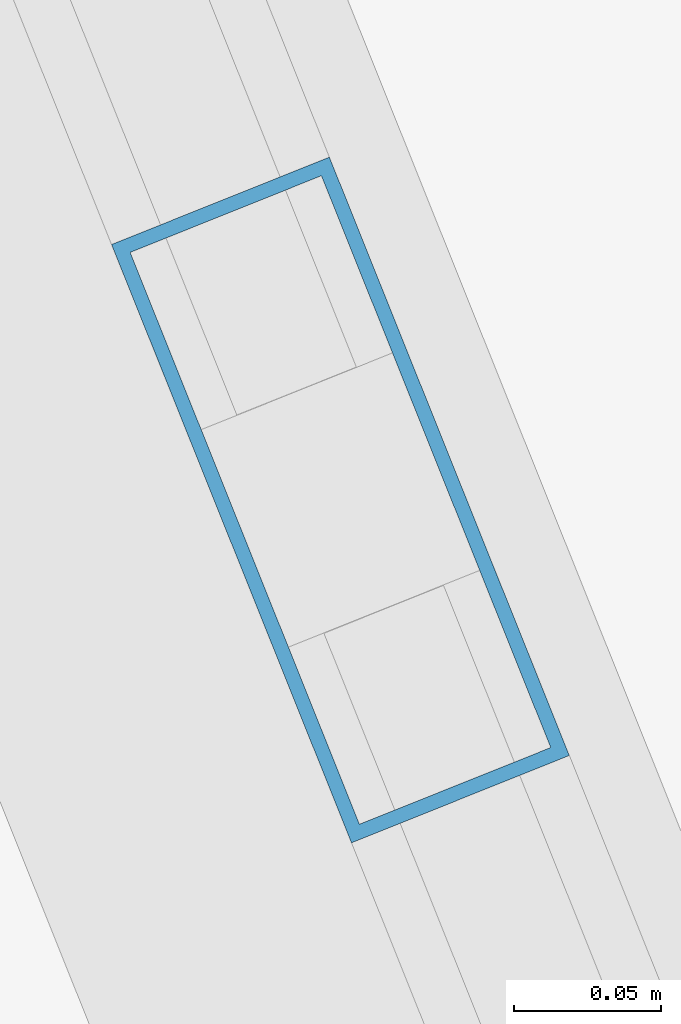
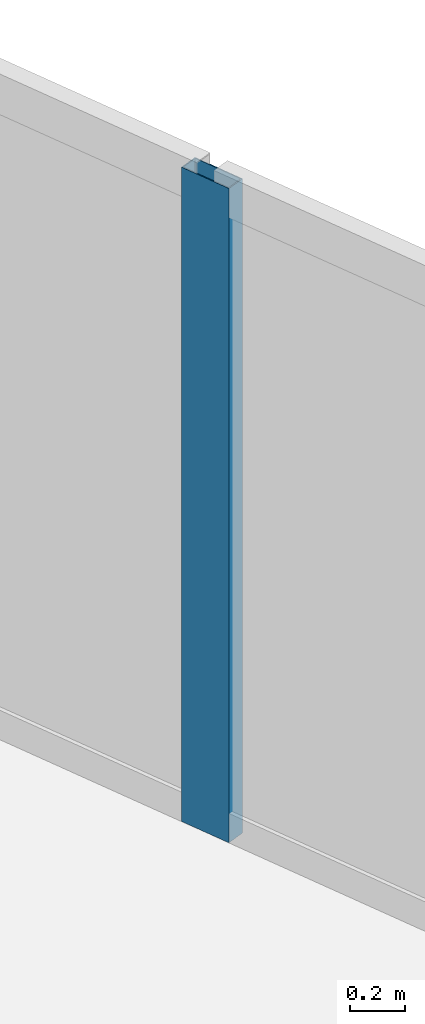
# One storey, part 13 of 33: 1 member, 1 element without a shape of its own.
"""IFC4 building model written with IfcOpenShell, lengths in metres."""

from ifc_helpers import new_model, si_unit, direction, frame, origin, origin_2d, place, context, subcontext, project, spatial, hollow_rectangle, extrude, material, material_profile, profile_set, type_object, element, aggregate, save


model = new_model("IFC4")

# Units and contexts
model_context = context("Model", 3, precision=1e-05, world=origin(), true_north=direction((0.0, 1.0)))
body_context = subcontext(model_context, "Body", "Model", "MODEL_VIEW")
ifc_project = project(units=[si_unit("LENGTHUNIT", "METRE"), si_unit("AREAUNIT", "SQUARE_METRE"), si_unit("VOLUMEUNIT", "CUBIC_METRE"), si_unit("PLANEANGLEUNIT", "RADIAN"), si_unit("MASSUNIT", "GRAM", prefix="KILO")], contexts=[model_context])

# Site, building, storey
site_placement = place(None, origin())
site = spatial("IfcSite", under=ifc_project, at=site_placement, CompositionType="ELEMENT")
building_placement = place(site_placement, origin())
building = spatial("IfcBuilding", under=site, at=building_placement, Name="Haldenkirk Collegiate Tower", CompositionType="ELEMENT")
storey_placement = place(building_placement, frame((0.0, 0.0, 101.699951171875)))
storey = spatial("IfcBuildingStorey", under=building, at=storey_placement, Name="L24", CompositionType="ELEMENT", Elevation=101.699951171875)

# Curtain wall, member
ifc_material = material(Name="Anodised architectural bronze aluminium", Category="aluminium")
curtain_wall_type = type_object("IfcCurtainWallType", Name="CW-SYS1-CONVEX-LOW", PredefinedType="USERDEFINED", material=ifc_material)
curtain_wall_placement = place(storey_placement, origin())
curtain_wall = element("IfcCurtainWall", 1, at=curtain_wall_placement, inside=storey, type_object=curtain_wall_type, Name="L24 Lower tower convex bronze-framed unitised curtain wall", ObjectType="UNITISED CURTAIN WALL", PredefinedType="USERDEFINED")
ifc_material_profile = material_profile(ifc_material, hollow_rectangle(XDim=0.080078125, YDim=0.219970703125, WallThickness=0.0048828125, at=origin_2d()), Name="CW-MUL-1A")
ifc_profile_set = profile_set([ifc_material_profile], Name="Anodised architectural bronze aluminium")
member_type = type_object("IfcMemberType", Name="CW-MUL-1A", PredefinedType="MULLION", material=ifc_profile_set)
member_placement = place(storey_placement, frame((63.6494140625, 26.690185546875, 0.0), z_axis=(0.0, 0.0, 1.0), x_axis=(0.928162513726, 0.372175157841, 0.0)))
member = element("IfcMember", 2, at=member_placement, type_object=member_type, Name="CW-1A mullion 4", PredefinedType="MULLION", context=body_context, shape_type="SweptSolid", body=[
    extrude(hollow_rectangle(XDim=0.080078125, YDim=0.219970703125, WallThickness=0.0048828125, at=origin_2d()), origin(), (0.0, 0.0, 1.0), 2.901123046875),
])
aggregate(curtain_wall, [member])

save(model, "model.ifc")
